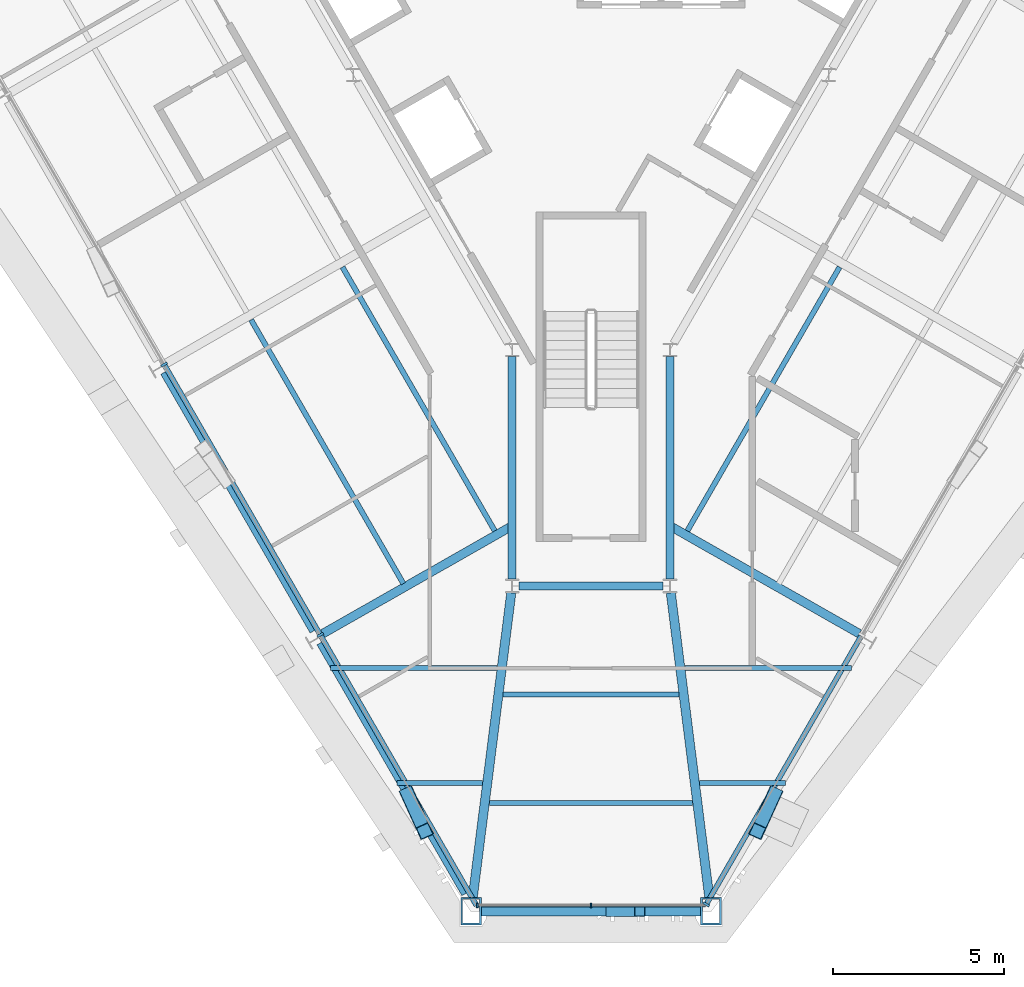
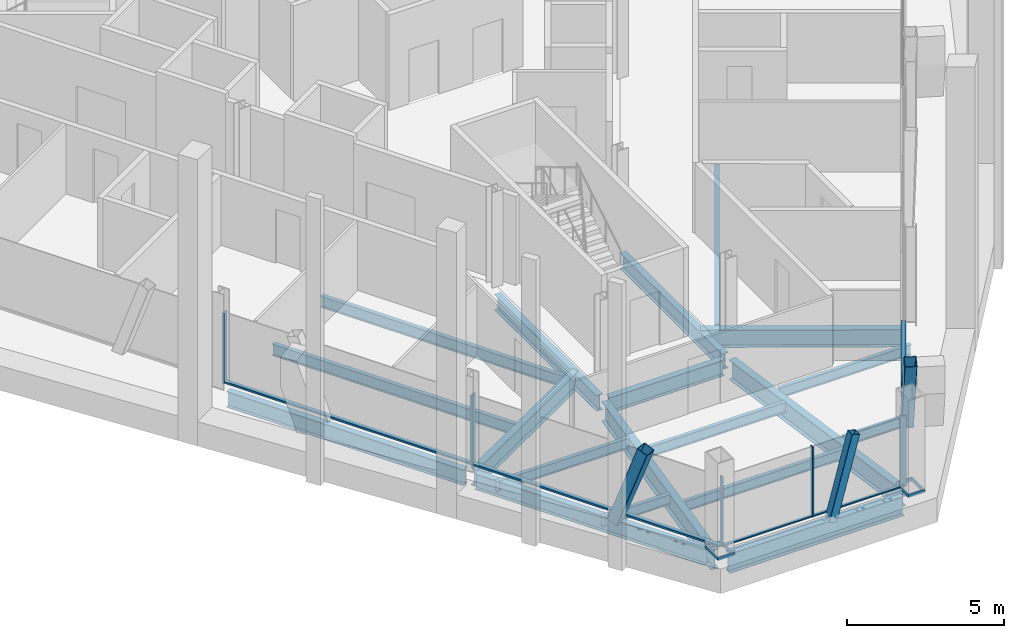
# One storey, part 3 of 16: 19 beams, 15 members, 3 elements without a shape of their own.
"""IFC4 building model written with IfcOpenShell, lengths in metres."""

from ifc_helpers import new_model, si_unit, direction, frame, origin, origin_2d, place, context, subcontext, project, spatial, rectangle, hollow_rectangle, i_section, extrude, material, material_profile, profile_set, type_object, element, aggregate, save


model = new_model("IFC4")

# Units and contexts
model_context = context("Model", 3, precision=1e-05, world=origin(), true_north=direction((0.0, 1.0)))
body_context = subcontext(model_context, "Body", "Model", "MODEL_VIEW")
ifc_project = project(units=[si_unit("LENGTHUNIT", "METRE"), si_unit("AREAUNIT", "SQUARE_METRE"), si_unit("VOLUMEUNIT", "CUBIC_METRE"), si_unit("PLANEANGLEUNIT", "RADIAN"), si_unit("MASSUNIT", "GRAM", prefix="KILO")], contexts=[model_context])

# Site, building, storey
site_placement = place(None, origin())
site = spatial("IfcSite", under=ifc_project, at=site_placement, CompositionType="ELEMENT")
building_placement = place(site_placement, origin())
building = spatial("IfcBuilding", under=site, at=building_placement, Name="Verrane Prism Tower", CompositionType="ELEMENT")
storey_placement = place(building_placement, frame((0.0, 0.0, 247.10009765625)))
storey = spatial("IfcBuildingStorey", under=building, at=storey_placement, Name="L62", CompositionType="ELEMENT", Elevation=247.10009765625)

# Member
ifc_material_1 = material(Name="Steel A500 Grade C", Category="steel")
ifc_material_profile_1 = material_profile(ifc_material_1, hollow_rectangle(XDim=0.3046875, YDim=0.3046875, WallThickness=0.0126953125, InnerFilletRadius=0.00634765625, OuterFilletRadius=0.01904296875, at=origin_2d()), Name="HSS12x12x1/2")
ifc_profile_set_1 = profile_set([ifc_material_profile_1], Name="Steel A500 Grade C")
member_type_1 = type_object("IfcMemberType", Name="Chamfer brace HSS12x12x1/2", PredefinedType="BRACE", material=ifc_profile_set_1)
member_1_placement = place(storey_placement, frame((0.580078125, -28.389892578125, -0.24267578125), z_axis=(0.26085172708, 0.0, 0.965378877167), x_axis=(0.0, 1.0, 0.0)))
element("IfcMember", 1, at=member_1_placement, inside=storey, type_object=member_type_1, Name="Chamfer brace S0 L62", PredefinedType="BRACE", context=body_context, shape_type="SweptSolid", body=[
    extrude(hollow_rectangle(XDim=0.3046875, YDim=0.3046875, WallThickness=0.0126953125, InnerFilletRadius=0.00634765625, OuterFilletRadius=0.01904296875, at=origin_2d()), origin(), (0.0, 0.0, 1.0), 3.2197265625),
])

# Beams
ifc_material_2 = material(Name="Steel A992", Category="steel")
ifc_material_profile_2 = material_profile(ifc_material_2, i_section(OverallWidth=0.2666015625, OverallDepth=0.7568359375, WebThickness=0.013916015625, FlangeThickness=0.019287109375, FilletRadius=0.0166015625, at=origin_2d()), Name="W30x108")
ifc_profile_set_2 = profile_set([ifc_material_profile_2], Name="Steel A992")
beam_type_1 = type_object("IfcBeamType", Name="Chamfer spandrel beam W30x108", PredefinedType="SPANDREL", material=ifc_profile_set_2)
beam_1_placement = place(storey_placement, frame((-3.199951171875, -28.389892578125, -0.53857421875), z_axis=(1.0, 0.0, 0.0), x_axis=(0.0, 1.0, 0.0)))
element("IfcBeam", 2, at=beam_1_placement, inside=storey, type_object=beam_type_1, Name="Chamfer spandrel beam L62", PredefinedType="SPANDREL", context=body_context, shape_type="SweptSolid", body=[
    extrude(i_section(OverallWidth=0.2666015625, OverallDepth=0.7568359375, WebThickness=0.013916015625, FlangeThickness=0.019287109375, FilletRadius=0.0166015625, at=origin_2d()), origin(), (0.0, 0.0, 1.0), 6.39990234375),
])
ifc_material_3 = material(Name="Steel A992", Category="steel")
ifc_material_profile_3 = material_profile(ifc_material_3, i_section(OverallWidth=0.23046875, OverallDepth=0.6171875, WebThickness=0.01318359375, FlangeThickness=0.022216796875, FilletRadius=0.012939453125, at=origin_2d()), Name="W24x94")
ifc_profile_set_3 = profile_set([ifc_material_profile_3], Name="Steel A992")
beam_type_2 = type_object("IfcBeamType", Name="Core ring girder W24x94", PredefinedType="BEAM", material=ifc_profile_set_3)
beam_2_placement = place(storey_placement, frame((-2.300048828125, -12.212890625, -0.55859375), z_axis=(0.0, -1.0, 0.0), x_axis=(1.0, 0.0, 0.0)))
element("IfcBeam", 3, at=beam_2_placement, inside=storey, type_object=beam_type_2, Name="Core ring girder L62", PredefinedType="BEAM", context=body_context, shape_type="SweptSolid", body=[
    extrude(i_section(OverallWidth=0.23046875, OverallDepth=0.6171875, WebThickness=0.01318359375, FlangeThickness=0.022216796875, FilletRadius=0.012939453125, at=origin_2d()), origin(), (0.0, 0.0, 1.0), 6.48779296875),
])
beam_3_placement = place(storey_placement, frame((-2.099365234375, -18.89990234375, -0.55859375), z_axis=(1.0, 0.0, 0.0), x_axis=(0.0, 1.0, 0.0)))
element("IfcBeam", 4, at=beam_3_placement, inside=storey, type_object=beam_type_2, Name="Core ring girder L62", PredefinedType="BEAM", context=body_context, shape_type="SweptSolid", body=[
    extrude(i_section(OverallWidth=0.23046875, OverallDepth=0.6171875, WebThickness=0.01318359375, FlangeThickness=0.022216796875, FilletRadius=0.012939453125, at=origin_2d()), origin(), (0.0, 0.0, 1.0), 4.19873046875),
])
beam_4_placement = place(storey_placement, frame((2.300048828125, -18.70068359375, -0.55859375), z_axis=(0.0, 1.0, 0.0), x_axis=(-1.0, 0.0, 0.0)))
element("IfcBeam", 5, at=beam_4_placement, inside=storey, type_object=beam_type_2, Name="Core ring girder L62", PredefinedType="BEAM", context=body_context, shape_type="SweptSolid", body=[
    extrude(i_section(OverallWidth=0.23046875, OverallDepth=0.6171875, WebThickness=0.01318359375, FlangeThickness=0.022216796875, FilletRadius=0.012939453125, at=origin_2d()), origin(), (0.0, 0.0, 1.0), 6.48779296875),
])
ifc_material_4 = material(Name="Steel A992", Category="steel")
ifc_material_profile_4 = material_profile(ifc_material_4, i_section(OverallWidth=0.2666015625, OverallDepth=0.76708984375, WebThickness=0.014892578125, FlangeThickness=0.023681640625, FilletRadius=0.0166015625, at=origin_2d()), Name="W30x124")
ifc_profile_set_4 = profile_set([ifc_material_profile_4], Name="Steel A992")
beam_type_3 = type_object("IfcBeamType", Name="Corner girder W30x124", PredefinedType="BEAM", material=ifc_profile_set_4)
for number, where, z_axis, x_axis, name in (
    (6, (-3.449462890625, -27.989990234375, -0.603515625), (0.125456298636, 0.992099146826, 0.0), (-0.992099146826, 0.125456298636, 0.0), "Corner girder L62"),
    (7, (3.449462890625, -27.989990234375, -0.603515625), (-0.125456298636, 0.992099146826, 0.0), (-0.992099146826, -0.125456298636, 0.0), "Corner girder L62"),
):
    element("IfcBeam", number, at=place(storey_placement, frame(where, z_axis=z_axis, x_axis=x_axis)), inside=storey, type_object=beam_type_3, Name=name, PredefinedType="BEAM", context=body_context, shape_type="SweptSolid", body=[
        extrude(i_section(OverallWidth=0.2666015625, OverallDepth=0.76708984375, WebThickness=0.014892578125, FlangeThickness=0.023681640625, FilletRadius=0.0166015625, at=origin_2d()), origin(), (0.0, 0.0, 1.0), 8.96142578125),
    ])

# Members
ifc_material_5 = material(Name="Steel A500 Grade C", Category="steel")
ifc_material_profile_5 = material_profile(ifc_material_5, hollow_rectangle(XDim=0.406494140625, YDim=0.406494140625, WallThickness=0.01904296875, InnerFilletRadius=0.009521484375, OuterFilletRadius=0.028564453125, at=origin_2d()), Name="HSS16x16x3/4")
ifc_profile_set_5 = profile_set([ifc_material_profile_5], Name="Steel A500 Grade C")
member_type_2 = type_object("IfcMemberType", Name="Facade brace HSS16x16x3/4", PredefinedType="BRACE", material=ifc_profile_set_5)
for number, where, z_axis, x_axis, name in (
    (8, (-5.3408203125, -24.974609375, -0.216796875), (0.143438419187, -0.315535863186, 0.938009882115), (0.910352318688, 0.413834092192, 0.0), "Facade brace SW4 L62"),
    (9, (5.3408203125, -24.974609375, -0.216796875), (-0.143438419187, -0.315535863186, 0.938009882115), (0.910352318688, -0.413834092192, 0.0), "Facade brace SE0 L62"),
):
    element("IfcMember", number, at=place(storey_placement, frame(where, z_axis=z_axis, x_axis=x_axis)), inside=storey, type_object=member_type_2, Name=name, PredefinedType="BRACE", context=body_context, shape_type="SweptSolid", body=[
        extrude(hollow_rectangle(XDim=0.406494140625, YDim=0.406494140625, WallThickness=0.01904296875, InnerFilletRadius=0.009521484375, OuterFilletRadius=0.028564453125, at=origin_2d()), origin(), (0.0, 0.0, 1.0), 3.407470703125),
    ])

# Beams
ifc_material_6 = material(Name="Steel A992", Category="steel")
ifc_material_profile_6 = material_profile(ifc_material_6, i_section(OverallWidth=0.140380859375, OverallDepth=0.40380859375, WebThickness=0.007080078125, FlangeThickness=0.01123046875, FilletRadius=0.01025390625, at=origin_2d()), Name="W16x31")
ifc_profile_set_6 = profile_set([ifc_material_profile_6], Name="Steel A992")
beam_type_4 = type_object("IfcBeamType", Name="Floor beam W16x31", PredefinedType="BEAM", material=ifc_profile_set_6)
beam_5_placement = place(storey_placement, frame((-5.66455078125, -24.643310546875, -0.362060546875), z_axis=(1.0, 0.0, 0.0), x_axis=(0.0, 1.0, 0.0)))
element("IfcBeam", 10, at=beam_5_placement, inside=storey, type_object=beam_type_4, Name="Floor beam L62", PredefinedType="BEAM", context=body_context, shape_type="SweptSolid", body=[
    extrude(i_section(OverallWidth=0.140380859375, OverallDepth=0.40380859375, WebThickness=0.007080078125, FlangeThickness=0.01123046875, FilletRadius=0.01025390625, at=origin_2d()), origin(), (0.0, 0.0, 1.0), 2.503662109375),
])
beam_6_placement = place(storey_placement, frame((-7.59814453125, -21.296630859375, -0.362060546875), z_axis=(1.0, 0.0, 0.0), x_axis=(0.0, 1.0, 0.0)))
element("IfcBeam", 11, at=beam_6_placement, inside=storey, type_object=beam_type_4, Name="Floor beam L62", PredefinedType="BEAM", context=body_context, shape_type="SweptSolid", body=[
    extrude(i_section(OverallWidth=0.140380859375, OverallDepth=0.40380859375, WebThickness=0.007080078125, FlangeThickness=0.01123046875, FilletRadius=0.01025390625, at=origin_2d()), origin(), (0.0, 0.0, 1.0), 4.860595703125),
])
beam_7_placement = place(storey_placement, frame((3.160888671875, -24.643310546875, -0.362060546875), z_axis=(1.0, 0.0, 0.0), x_axis=(0.0, 1.0, 0.0)))
element("IfcBeam", 12, at=beam_7_placement, inside=storey, type_object=beam_type_4, Name="Floor beam L62", PredefinedType="BEAM", context=body_context, shape_type="SweptSolid", body=[
    extrude(i_section(OverallWidth=0.140380859375, OverallDepth=0.40380859375, WebThickness=0.007080078125, FlangeThickness=0.01123046875, FilletRadius=0.01025390625, at=origin_2d()), origin(), (0.0, 0.0, 1.0), 2.503662109375),
])
beam_8_placement = place(storey_placement, frame((2.737548828125, -21.296630859375, -0.362060546875), z_axis=(1.0, 0.0, 0.0), x_axis=(0.0, 1.0, 0.0)))
element("IfcBeam", 13, at=beam_8_placement, inside=storey, type_object=beam_type_4, Name="Floor beam L62", PredefinedType="BEAM", context=body_context, shape_type="SweptSolid", body=[
    extrude(i_section(OverallWidth=0.140380859375, OverallDepth=0.40380859375, WebThickness=0.007080078125, FlangeThickness=0.01123046875, FilletRadius=0.01025390625, at=origin_2d()), origin(), (0.0, 0.0, 1.0), 4.860595703125),
])
beam_9_placement = place(storey_placement, frame((-2.96533203125, -25.226806640625, -0.362060546875), z_axis=(1.0, 0.0, 0.0), x_axis=(0.0, 1.0, 0.0)))
element("IfcBeam", 14, at=beam_9_placement, inside=storey, type_object=beam_type_4, Name="Floor beam L62", PredefinedType="BEAM", context=body_context, shape_type="SweptSolid", body=[
    extrude(i_section(OverallWidth=0.140380859375, OverallDepth=0.40380859375, WebThickness=0.007080078125, FlangeThickness=0.01123046875, FilletRadius=0.01025390625, at=origin_2d()), origin(), (0.0, 0.0, 1.0), 5.9306640625),
])
beam_10_placement = place(storey_placement, frame((-2.5654296875, -22.063232421875, -0.362060546875), z_axis=(1.0, 0.0, 0.0), x_axis=(0.0, 1.0, 0.0)))
element("IfcBeam", 15, at=beam_10_placement, inside=storey, type_object=beam_type_4, Name="Floor beam L62", PredefinedType="BEAM", context=body_context, shape_type="SweptSolid", body=[
    extrude(i_section(OverallWidth=0.140380859375, OverallDepth=0.40380859375, WebThickness=0.007080078125, FlangeThickness=0.01123046875, FilletRadius=0.01025390625, at=origin_2d()), origin(), (0.0, 0.0, 1.0), 5.130859375),
])
ifc_material_7 = material(Name="Steel A992", Category="steel")
ifc_material_profile_7 = material_profile(ifc_material_7, i_section(OverallWidth=0.15234375, OverallDepth=0.449462890625, WebThickness=0.007568359375, FlangeThickness=0.0107421875, FilletRadius=0.01025390625, at=origin_2d()), Name="W18x35")
ifc_profile_set_7 = profile_set([ifc_material_profile_7], Name="Steel A992")
beam_type_5 = type_object("IfcBeamType", Name="Floor beam W18x35", PredefinedType="BEAM", material=ifc_profile_set_7)
beam_11_placement = place(storey_placement, frame((-2.806640625, -17.295654296875, -0.385009765625), z_axis=(-0.499997714797, 0.866026723143, 0.0), x_axis=(-0.866026723143, -0.499997714797, 0.0)))
element("IfcBeam", 16, at=beam_11_placement, inside=storey, type_object=beam_type_5, Name="Floor beam L62", PredefinedType="BEAM", context=body_context, shape_type="SweptSolid", body=[
    extrude(i_section(OverallWidth=0.15234375, OverallDepth=0.449462890625, WebThickness=0.007568359375, FlangeThickness=0.0107421875, FilletRadius=0.01025390625, at=origin_2d()), origin(), (0.0, 0.0, 1.0), 8.88037109375),
])
beam_12_placement = place(storey_placement, frame((-5.47119140625, -18.83349609375, -0.385009765625), z_axis=(-0.50000642917, 0.866021691869, 0.0), x_axis=(-0.866021691869, -0.50000642917, 0.0)))
element("IfcBeam", 17, at=beam_12_placement, inside=storey, type_object=beam_type_5, Name="Floor beam L62", PredefinedType="BEAM", context=body_context, shape_type="SweptSolid", body=[
    extrude(i_section(OverallWidth=0.15234375, OverallDepth=0.449462890625, WebThickness=0.007568359375, FlangeThickness=0.0107421875, FilletRadius=0.01025390625, at=origin_2d()), origin(), (0.0, 0.0, 1.0), 8.880859375),
])
beam_13_placement = place(storey_placement, frame((2.806640625, -17.295654296875, -0.385009765625), z_axis=(0.499997714797, 0.866026723143, 0.0), x_axis=(-0.866026723143, 0.499997714797, 0.0)))
element("IfcBeam", 18, at=beam_13_placement, inside=storey, type_object=beam_type_5, Name="Floor beam L62", PredefinedType="BEAM", context=body_context, shape_type="SweptSolid", body=[
    extrude(i_section(OverallWidth=0.15234375, OverallDepth=0.449462890625, WebThickness=0.007568359375, FlangeThickness=0.0107421875, FilletRadius=0.01025390625, at=origin_2d()), origin(), (0.0, 0.0, 1.0), 8.88037109375),
])

# Members
ifc_material_8 = material(Name="Steel A572 Grade 50", Category="steel")
ifc_material_profile_8 = material_profile(ifc_material_8, hollow_rectangle(XDim=0.60009765625, YDim=0.800048828125, WallThickness=0.050048828125, at=origin_2d()), Name="BOX 800x600x50")
ifc_profile_set_8 = profile_set([ifc_material_profile_8], Name="Steel A572 Grade 50")
member_type_3 = type_object("IfcMemberType", Name="Kink node BOX 800x600x50", PredefinedType="COLLAR", material=ifc_profile_set_8)
for number, where, z_axis, x_axis, name in (
    (19, (-3.49658203125, -28.3837890625, -0.065185546875), (0.0, 0.0, 1.0), (-1.0, 0.0, 0.0), "Kink node MC4 L62"),
    (20, (3.49658203125, -28.3837890625, -0.065185546875), (0.0, 0.0, 1.0), (-1.0, 0.0, 0.0), "Kink node MC4 L62"),
):
    element("IfcMember", number, at=place(storey_placement, frame(where, z_axis=z_axis, x_axis=x_axis)), inside=storey, type_object=member_type_3, Name=name, PredefinedType="COLLAR", context=body_context, shape_type="SweptSolid", body=[
        extrude(hollow_rectangle(XDim=0.60009765625, YDim=0.800048828125, WallThickness=0.050048828125, at=origin_2d()), origin(), (0.0, 0.0, 1.0), 0.130126953125),
    ])

# Curtain wall, members
ifc_material_9 = material(Name="Aluminium framed insulated glazing", Category="aluminium")
curtain_wall_type_1 = type_object("IfcCurtainWallType", Name="Curtain wall CW-C 4200 module", PredefinedType="NOTDEFINED", material=ifc_material_9)
curtain_wall_1_placement = place(storey_placement, origin())
curtain_wall_1 = element("IfcCurtainWall", 21, at=curtain_wall_1_placement, inside=storey, type_object=curtain_wall_type_1, Name="Glazed curtain wall south corner L62", PredefinedType="NOTDEFINED")
ifc_material_10 = material(Name="Aluminium alloy 6063-T6", Category="aluminium")
ifc_material_profile_9 = material_profile(ifc_material_10, rectangle(XDim=0.139892578125, YDim=0.050048828125, at=origin_2d()), Name="Mullion 50x140 aluminium")
ifc_profile_set_9 = profile_set([ifc_material_profile_9], Name="Aluminium alloy 6063-T6")
member_type_4 = type_object("IfcMemberType", Name="Mullion 50x140 aluminium", PredefinedType="MULLION", material=ifc_profile_set_9)
member_2_placement = place(storey_placement, frame((-3.31689453125, -28.215087890625, 0.0), z_axis=(0.0, 0.0, 1.0), x_axis=(0.0, 1.0, 0.0)))
member_2 = element("IfcMember", 22, at=member_2_placement, type_object=member_type_4, Name="CW62.5 mullion 1", PredefinedType="MULLION", context=body_context, shape_type="SweptSolid", body=[
    extrude(rectangle(XDim=0.139892578125, YDim=0.050048828125, at=origin_2d()), origin(), (0.0, 0.0, 1.0), 2.712890625),
])
member_3_placement = place(storey_placement, frame((0.0, -28.215087890625, 0.0), z_axis=(0.0, 0.0, 1.0), x_axis=(0.0, 1.0, 0.0)))
member_3 = element("IfcMember", 23, at=member_3_placement, type_object=member_type_4, Name="CW62.5 mullion 2", PredefinedType="MULLION", context=body_context, shape_type="SweptSolid", body=[
    extrude(rectangle(XDim=0.139892578125, YDim=0.050048828125, at=origin_2d()), origin(), (0.0, 0.0, 1.0), 2.712890625),
])

ifc_material_11 = material(Name="Aluminium framed insulated glazing", Category="aluminium")
curtain_wall_type_2 = type_object("IfcCurtainWallType", Name="Curtain wall CW-A 8400 module", PredefinedType="NOTDEFINED", material=ifc_material_11)
curtain_wall_2_placement = place(storey_placement, origin())
curtain_wall_2 = element("IfcCurtainWall", 24, at=curtain_wall_2_placement, inside=storey, type_object=curtain_wall_type_2, Name="Glazed curtain wall south-west face L62", PredefinedType="NOTDEFINED")
ifc_material_12 = material(Name="Aluminium alloy 6063-T6", Category="aluminium")
ifc_material_profile_10 = material_profile(ifc_material_12, rectangle(XDim=0.199951171875, YDim=0.070068359375, at=origin_2d()), Name="Mullion 70x200 aluminium")
ifc_profile_set_10 = profile_set([ifc_material_profile_10], Name="Aluminium alloy 6063-T6")
member_type_5 = type_object("IfcMemberType", Name="Mullion 70x200 aluminium", PredefinedType="MULLION", material=ifc_profile_set_10)
member_4_placement = place(storey_placement, frame((-12.447509765625, -12.44384765625, 0.0), z_axis=(0.0, 0.0, 1.0), x_axis=(0.866025525748, 0.499999788753, 0.0)))
member_4 = element("IfcMember", 25, at=member_4_placement, type_object=member_type_5, Name="CW62.4 mullion 4", PredefinedType="MULLION", context=body_context, shape_type="SweptSolid", body=[
    extrude(rectangle(XDim=0.199951171875, YDim=0.070068359375, at=origin_2d()), origin(), (0.0, 0.0, 1.0), 2.712890625),
])
member_5_placement = place(storey_placement, frame((-7.894775390625, -20.32958984375, 0.0), z_axis=(0.0, 0.0, 1.0), x_axis=(0.866025525748, 0.499999788753, 0.0)))
member_5 = element("IfcMember", 26, at=member_5_placement, type_object=member_type_5, Name="CW62.4 mullion 5", PredefinedType="MULLION", context=body_context, shape_type="SweptSolid", body=[
    extrude(rectangle(XDim=0.199951171875, YDim=0.070068359375, at=origin_2d()), origin(), (0.0, 0.0, 1.0), 2.712890625),
])

# Curtain wall, member
curtain_wall_3_placement = place(storey_placement, origin())
curtain_wall_3 = element("IfcCurtainWall", 27, at=curtain_wall_3_placement, inside=storey, type_object=curtain_wall_type_2, Name="Glazed curtain wall south-east face L62", PredefinedType="NOTDEFINED")
member_6_placement = place(storey_placement, frame((3.359375, -28.184814453125, 0.0), z_axis=(0.0, 0.0, 1.0), x_axis=(-0.866025525748, 0.499999788753, 0.0)))
member_6 = element("IfcMember", 28, at=member_6_placement, type_object=member_type_5, Name="CW62.6 mullion 1", PredefinedType="MULLION", context=body_context, shape_type="SweptSolid", body=[
    extrude(rectangle(XDim=0.199951171875, YDim=0.070068359375, at=origin_2d()), origin(), (0.0, 0.0, 1.0), 2.712890625),
])

# Beams
ifc_material_13 = material(Name="Steel A992", Category="steel")
ifc_material_profile_11 = material_profile(ifc_material_13, i_section(OverallWidth=0.25390625, OverallDepth=0.683349609375, WebThickness=0.012451171875, FlangeThickness=0.01904296875, FilletRadius=0.01513671875, at=origin_2d()), Name="W27x94")
ifc_profile_set_11 = profile_set([ifc_material_profile_11], Name="Steel A992")
beam_type_6 = type_object("IfcBeamType", Name="Radial girder W27x94", PredefinedType="BEAM", material=ifc_profile_set_11)
for number, where, z_axis, x_axis, name in (
    (29, (-7.822998046875, -20.292236328125, -0.561767578125), (0.869083534374, 0.494665351808, 0.0), (-0.494665351808, 0.869083534374, 0.0), "Radial girder L62"),
    (30, (7.822998046875, -20.292236328125, -0.561767578125), (-0.869083534374, 0.494665351808, 0.0), (-0.494665351808, -0.869083534374, 0.0), "Radial girder L62"),
):
    element("IfcBeam", number, at=place(storey_placement, frame(where, z_axis=z_axis, x_axis=x_axis)), inside=storey, type_object=beam_type_6, Name=name, PredefinedType="BEAM", context=body_context, shape_type="SweptSolid", body=[
        extrude(i_section(OverallWidth=0.25390625, OverallDepth=0.683349609375, WebThickness=0.012451171875, FlangeThickness=0.01904296875, FilletRadius=0.01513671875, at=origin_2d()), origin(), (0.0, 0.0, 1.0), 6.35498046875),
    ])
ifc_material_14 = material(Name="Steel A992", Category="steel")
ifc_material_profile_12 = material_profile(ifc_material_14, i_section(OverallWidth=0.23046875, OverallDepth=0.6171875, WebThickness=0.01318359375, FlangeThickness=0.022216796875, FilletRadius=0.012939453125, at=origin_2d()), Name="W24x94")
ifc_profile_set_12 = profile_set([ifc_material_profile_12], Name="Steel A992")
beam_type_7 = type_object("IfcBeamType", Name="Spandrel beam W24x94", PredefinedType="SPANDREL", material=ifc_profile_set_12)
beam_14_placement = place(storey_placement, frame((-12.4462890625, -12.67333984375, -0.46875), z_axis=(0.500127672074, -0.865951679729, 0.0), x_axis=(0.865951679729, 0.500127672074, 0.0)))
element("IfcBeam", 31, at=beam_14_placement, inside=storey, type_object=beam_type_7, Name="Spandrel beam L62", PredefinedType="SPANDREL", context=body_context, shape_type="SweptSolid", body=[
    extrude(i_section(OverallWidth=0.23046875, OverallDepth=0.6171875, WebThickness=0.01318359375, FlangeThickness=0.022216796875, FilletRadius=0.012939453125, at=origin_2d()), origin(), (0.0, 0.0, 1.0), 8.709228515625),
])
beam_15_placement = place(storey_placement, frame((-7.89111328125, -20.560302734375, -0.46875), z_axis=(0.500263633712, -0.865873141277, 0.0), x_axis=(0.865873141277, 0.500263633712, 0.0)))
element("IfcBeam", 32, at=beam_15_placement, inside=storey, type_object=beam_type_7, Name="Spandrel beam L62", PredefinedType="SPANDREL", context=body_context, shape_type="SweptSolid", body=[
    extrude(i_section(OverallWidth=0.23046875, OverallDepth=0.6171875, WebThickness=0.01318359375, FlangeThickness=0.022216796875, FilletRadius=0.012939453125, at=origin_2d()), origin(), (0.0, 0.0, 1.0), 8.447265625),
])

# Member
ifc_material_15 = material(Name="Aluminium alloy 6063-T6", Category="aluminium")
ifc_material_profile_13 = material_profile(ifc_material_15, rectangle(XDim=0.10009765625, YDim=0.050048828125, at=origin_2d()), Name="Transom 50x100 aluminium")
ifc_profile_set_13 = profile_set([ifc_material_profile_13], Name="Aluminium alloy 6063-T6")
member_type_6 = type_object("IfcMemberType", Name="Transom 50x100 aluminium", PredefinedType="USERDEFINED", material=ifc_profile_set_13)
member_7_placement = place(storey_placement, frame((-3.2919921875, -28.215087890625, 0.02490234375), z_axis=(1.0, 0.0, 0.0), x_axis=(0.0, 1.0, 0.0)))
member_7 = element("IfcMember", 33, at=member_7_placement, type_object=member_type_6, Name="CW62.5 transom 1", ObjectType="TRANSOM", PredefinedType="USERDEFINED", context=body_context, shape_type="SweptSolid", body=[
    extrude(rectangle(XDim=0.10009765625, YDim=0.050048828125, at=origin_2d()), origin(), (0.0, 0.0, 1.0), 3.26708984375),
])

member_8_placement = place(storey_placement, frame((0.02490234375, -28.215087890625, 0.02490234375), z_axis=(1.0, 0.0, 0.0), x_axis=(0.0, 1.0, 0.0)))
member_8 = element("IfcMember", 34, at=member_8_placement, type_object=member_type_6, Name="CW62.5 transom 2", ObjectType="TRANSOM", PredefinedType="USERDEFINED", context=body_context, shape_type="SweptSolid", body=[
    extrude(rectangle(XDim=0.10009765625, YDim=0.050048828125, at=origin_2d()), origin(), (0.0, 0.0, 1.0), 3.31689453125),
])

aggregate(curtain_wall_1, [member_2, member_3, member_7, member_8])

ifc_material_16 = material(Name="Aluminium alloy 6063-T6", Category="aluminium")
ifc_material_profile_14 = material_profile(ifc_material_16, rectangle(XDim=0.14990234375, YDim=0.070068359375, at=origin_2d()), Name="Transom 70x150 aluminium")
ifc_profile_set_14 = profile_set([ifc_material_profile_14], Name="Aluminium alloy 6063-T6")
member_type_7 = type_object("IfcMemberType", Name="Transom 70x150 aluminium", PredefinedType="USERDEFINED", material=ifc_profile_set_14)
member_9_placement = place(storey_placement, frame((-12.429931640625, -12.47412109375, 0.034912109375), z_axis=(0.500007022283, -0.866021349429, 0.0), x_axis=(0.866021349429, 0.500007022283, 0.0)))
member_9 = element("IfcMember", 35, at=member_9_placement, type_object=member_type_7, Name="CW62.4 transom 4", ObjectType="TRANSOM", PredefinedType="USERDEFINED", context=body_context, shape_type="SweptSolid", body=[
    extrude(rectangle(XDim=0.14990234375, YDim=0.070068359375, at=origin_2d()), origin(), (0.0, 0.0, 1.0), 9.035400390625),
])

member_10_placement = place(storey_placement, frame((-7.877197265625, -20.35986328125, 0.034912109375), z_axis=(0.5000152428, -0.866016603171, 0.0), x_axis=(0.866016603171, 0.5000152428, 0.0)))
member_10 = element("IfcMember", 36, at=member_10_placement, type_object=member_type_7, Name="CW62.4 transom 5", ObjectType="TRANSOM", PredefinedType="USERDEFINED", context=body_context, shape_type="SweptSolid", body=[
    extrude(rectangle(XDim=0.14990234375, YDim=0.070068359375, at=origin_2d()), origin(), (0.0, 0.0, 1.0), 9.070556640625),
])

aggregate(curtain_wall_2, [member_4, member_5, member_9, member_10])

member_11_placement = place(storey_placement, frame((3.376953125, -28.154541015625, 0.034912109375), z_axis=(0.499998737774, 0.86602613253, 0.0), x_axis=(-0.86602613253, 0.499998737774, 0.0)))
member_11 = element("IfcMember", 37, at=member_11_placement, type_object=member_type_7, Name="CW62.6 transom 1", ObjectType="TRANSOM", PredefinedType="USERDEFINED", context=body_context, shape_type="SweptSolid", body=[
    extrude(rectangle(XDim=0.14990234375, YDim=0.070068359375, at=origin_2d()), origin(), (0.0, 0.0, 1.0), 9.00048828125),
])

aggregate(curtain_wall_3, [member_6, member_11])

save(model, "model.ifc")
